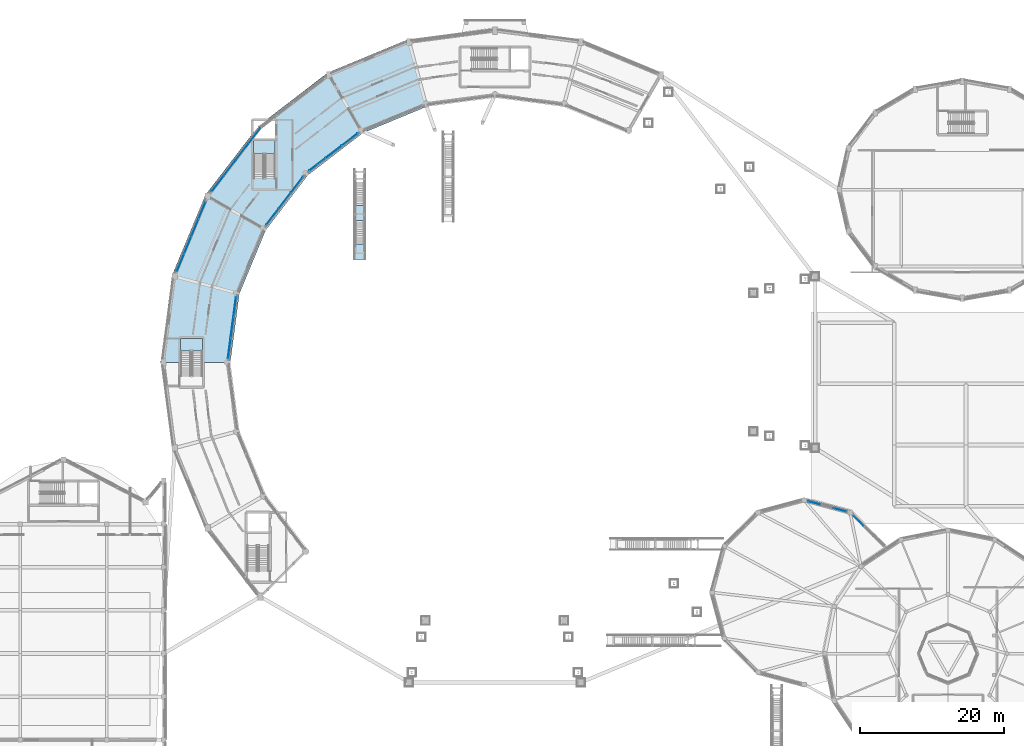
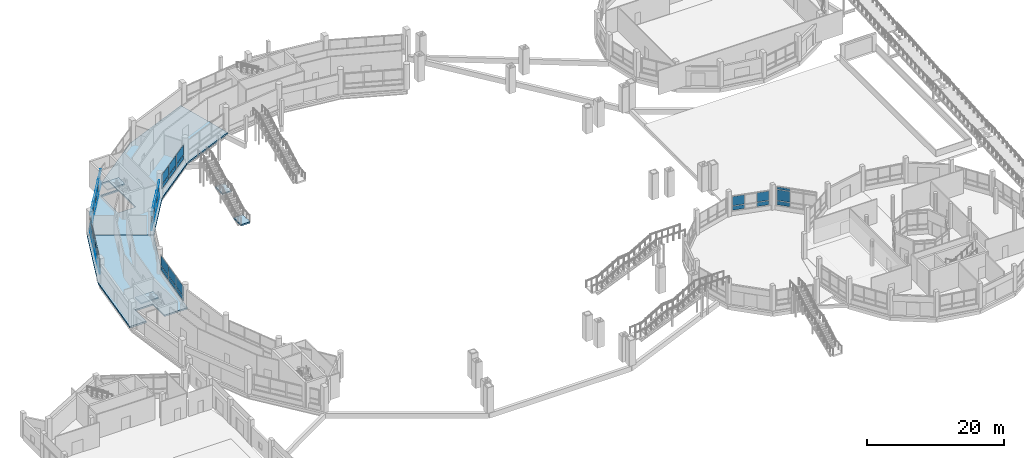
# One storey, part 100 of 129: 48 plates, 6 slabs, 10 elements without a shape of their own.
"""IFC4 building model written with IfcOpenShell, lengths in metres."""

from ifc_helpers import new_model, si_unit, direction, frame, origin, origin_2d, place, context, subcontext, project, spatial, polyline, rectangle, outline, extrude, material, layer, layer_set, type_object, element, aggregate, save


model = new_model("IFC4")

# Units and contexts
model_context = context("Model", 3, precision=1e-05, world=origin(), true_north=direction((0.0, 1.0)))
body_context = subcontext(model_context, "Body", "Model", "MODEL_VIEW")
ifc_project = project(units=[si_unit("LENGTHUNIT", "METRE"), si_unit("AREAUNIT", "SQUARE_METRE"), si_unit("VOLUMEUNIT", "CUBIC_METRE"), si_unit("PLANEANGLEUNIT", "RADIAN"), si_unit("MASSUNIT", "GRAM", prefix="KILO")], contexts=[model_context])

# Site, building, storey
site_placement = place(None, origin())
site = spatial("IfcSite", under=ifc_project, at=site_placement, CompositionType="ELEMENT")
building_placement = place(site_placement, origin())
building = spatial("IfcBuilding", under=site, at=building_placement, Name="Vespera Passage Community Centre", CompositionType="ELEMENT")
storey_placement = place(building_placement, origin())
storey = spatial("IfcBuildingStorey", under=building, at=storey_placement, Name="L00", CompositionType="ELEMENT", Elevation=0.0)

# Curtain wall, plates
ifc_material_1 = material(Name="Anodized aluminium 6063-T6", Category="aluminium")
ifc_layer_1 = layer(ifc_material_1, 0.159912109375)
ifc_layer_set_1 = layer_set([ifc_layer_1], Name="Anodized aluminium 6063-T6")
curtain_wall_type_1 = type_object("IfcCurtainWallType", Name="CW-06E", PredefinedType="NOTDEFINED", material=ifc_layer_set_1)
curtain_wall_1_placement = place(storey_placement, origin())
curtain_wall_1 = element("IfcCurtainWall", 1, at=curtain_wall_1_placement, inside=storey, type_object=curtain_wall_type_1, Name="V4 L00 Outer Ribbon Curtain Wall 9", PredefinedType="NOTDEFINED")
ifc_material_2 = material(Name="Low-E insulated vision glass", Category="glass")
ifc_layer_2 = layer(ifc_material_2, 0.02001953125)
ifc_layer_set_2 = layer_set([ifc_layer_2], Name="Low-E insulated vision glass")
plate_type_1 = type_object("IfcPlateType", Name="PL-CWP-20E", PredefinedType="CURTAIN_PANEL", material=ifc_layer_set_2)
plate_1_placement = place(storey_placement, frame((39.444580078125, 90.333251953125, 0.4501953125), z_axis=(0.0, 0.0, 1.0), x_axis=(0.608765222978, 0.793350429062, 0.0)))
plate_1 = element("IfcPlate", 2, at=plate_1_placement, type_object=plate_type_1, Name="CW-06E panel 1.1", PredefinedType="CURTAIN_PANEL", context=body_context, shape_type="SweptSolid", body=[
    extrude(rectangle(XDim=2.703369140625, YDim=0.02001953125, at=origin_2d()), origin(), (0.0, 0.0, 1.0), 0.699951171875),
])
plate_2_placement = place(storey_placement, frame((39.444580078125, 90.333251953125, 1.25), z_axis=(0.0, 0.0, 1.0), x_axis=(0.608765222978, 0.793350429062, 0.0)))
plate_2 = element("IfcPlate", 3, at=plate_2_placement, type_object=plate_type_1, Name="CW-06E panel 1.2", PredefinedType="CURTAIN_PANEL", context=body_context, shape_type="SweptSolid", body=[
    extrude(rectangle(XDim=2.703369140625, YDim=0.02001953125, at=origin_2d()), origin(), (0.0, 0.0, 1.0), 1.595703125),
])
plate_3_placement = place(storey_placement, frame((39.444580078125, 90.333251953125, 2.945556640625), z_axis=(0.0, 0.0, 1.0), x_axis=(0.608765222978, 0.793350429062, 0.0)))
plate_3 = element("IfcPlate", 4, at=plate_3_placement, type_object=plate_type_1, Name="CW-06E panel 1.3", PredefinedType="CURTAIN_PANEL", context=body_context, shape_type="SweptSolid", body=[
    extrude(rectangle(XDim=2.703369140625, YDim=0.02001953125, at=origin_2d()), origin(), (0.0, 0.0, 1.0), 0.39990234375),
])
plate_4_placement = place(storey_placement, frame((41.1396484375, 92.54248046875, 0.4501953125), z_axis=(0.0, 0.0, 1.0), x_axis=(0.608765222978, 0.793350429062, 0.0)))
plate_4 = element("IfcPlate", 5, at=plate_4_placement, type_object=plate_type_1, Name="CW-06E panel 2.1", PredefinedType="CURTAIN_PANEL", context=body_context, shape_type="SweptSolid", body=[
    extrude(rectangle(XDim=2.73583984375, YDim=0.02001953125, at=origin_2d()), origin(), (0.0, 0.0, 1.0), 0.699951171875),
])
plate_5_placement = place(storey_placement, frame((41.1396484375, 92.54248046875, 1.25), z_axis=(0.0, 0.0, 1.0), x_axis=(0.608765222978, 0.793350429062, 0.0)))
plate_5 = element("IfcPlate", 6, at=plate_5_placement, type_object=plate_type_1, Name="CW-06E panel 2.2", PredefinedType="CURTAIN_PANEL", context=body_context, shape_type="SweptSolid", body=[
    extrude(rectangle(XDim=2.73583984375, YDim=0.02001953125, at=origin_2d()), origin(), (0.0, 0.0, 1.0), 1.595703125),
])
plate_6_placement = place(storey_placement, frame((41.1396484375, 92.54248046875, 2.945556640625), z_axis=(0.0, 0.0, 1.0), x_axis=(0.608765222978, 0.793350429062, 0.0)))
plate_6 = element("IfcPlate", 7, at=plate_6_placement, type_object=plate_type_1, Name="CW-06E panel 2.3", PredefinedType="CURTAIN_PANEL", context=body_context, shape_type="SweptSolid", body=[
    extrude(rectangle(XDim=2.73583984375, YDim=0.02001953125, at=origin_2d()), origin(), (0.0, 0.0, 1.0), 0.39990234375),
])
plate_7_placement = place(storey_placement, frame((42.8447265625, 94.764404296875, 0.4501953125), z_axis=(0.0, 0.0, 1.0), x_axis=(0.608765222978, 0.793350429062, 0.0)))
plate_7 = element("IfcPlate", 8, at=plate_7_placement, type_object=plate_type_1, Name="CW-06E panel 3.1", PredefinedType="CURTAIN_PANEL", context=body_context, shape_type="SweptSolid", body=[
    extrude(rectangle(XDim=2.73583984375, YDim=0.02001953125, at=origin_2d()), origin(), (0.0, 0.0, 1.0), 0.699951171875),
])
plate_8_placement = place(storey_placement, frame((42.8447265625, 94.764404296875, 1.25), z_axis=(0.0, 0.0, 1.0), x_axis=(0.608765222978, 0.793350429062, 0.0)))
plate_8 = element("IfcPlate", 9, at=plate_8_placement, type_object=plate_type_1, Name="CW-06E panel 3.2", PredefinedType="CURTAIN_PANEL", context=body_context, shape_type="SweptSolid", body=[
    extrude(rectangle(XDim=2.73583984375, YDim=0.02001953125, at=origin_2d()), origin(), (0.0, 0.0, 1.0), 1.595703125),
])
plate_9_placement = place(storey_placement, frame((42.8447265625, 94.764404296875, 2.945556640625), z_axis=(0.0, 0.0, 1.0), x_axis=(0.608765222978, 0.793350429062, 0.0)))
plate_9 = element("IfcPlate", 10, at=plate_9_placement, type_object=plate_type_1, Name="CW-06E panel 3.3", PredefinedType="CURTAIN_PANEL", context=body_context, shape_type="SweptSolid", body=[
    extrude(rectangle(XDim=2.73583984375, YDim=0.02001953125, at=origin_2d()), origin(), (0.0, 0.0, 1.0), 0.39990234375),
])
plate_10_placement = place(storey_placement, frame((44.5400390625, 96.9736328125, 0.4501953125), z_axis=(0.0, 0.0, 1.0), x_axis=(0.608765222978, 0.793350429062, 0.0)))
plate_10 = element("IfcPlate", 11, at=plate_10_placement, type_object=plate_type_1, Name="CW-06E panel 4.1", PredefinedType="CURTAIN_PANEL", context=body_context, shape_type="SweptSolid", body=[
    extrude(rectangle(XDim=2.703369140625, YDim=0.02001953125, at=origin_2d()), origin(), (0.0, 0.0, 1.0), 0.699951171875),
])
plate_11_placement = place(storey_placement, frame((44.5400390625, 96.9736328125, 1.25), z_axis=(0.0, 0.0, 1.0), x_axis=(0.608765222978, 0.793350429062, 0.0)))
plate_11 = element("IfcPlate", 12, at=plate_11_placement, type_object=plate_type_1, Name="CW-06E panel 4.2", PredefinedType="CURTAIN_PANEL", context=body_context, shape_type="SweptSolid", body=[
    extrude(rectangle(XDim=2.703369140625, YDim=0.02001953125, at=origin_2d()), origin(), (0.0, 0.0, 1.0), 1.595703125),
])
plate_12_placement = place(storey_placement, frame((44.5400390625, 96.9736328125, 2.945556640625), z_axis=(0.0, 0.0, 1.0), x_axis=(0.608765222978, 0.793350429062, 0.0)))
plate_12 = element("IfcPlate", 13, at=plate_12_placement, type_object=plate_type_1, Name="CW-06E panel 4.3", PredefinedType="CURTAIN_PANEL", context=body_context, shape_type="SweptSolid", body=[
    extrude(rectangle(XDim=2.703369140625, YDim=0.02001953125, at=origin_2d()), origin(), (0.0, 0.0, 1.0), 0.39990234375),
])
aggregate(curtain_wall_1, [plate_1, plate_2, plate_3, plate_4, plate_5, plate_6, plate_7, plate_8, plate_9, plate_10, plate_11, plate_12])

ifc_material_3 = material(Name="Anodized aluminium 6063-T6", Category="aluminium")
ifc_layer_3 = layer(ifc_material_3, 0.159912109375)
ifc_layer_set_3 = layer_set([ifc_layer_3], Name="Anodized aluminium 6063-T6")
curtain_wall_type_2 = type_object("IfcCurtainWallType", Name="CW-07E", PredefinedType="NOTDEFINED", material=ifc_layer_set_3)
curtain_wall_2_placement = place(storey_placement, origin())
curtain_wall_2 = element("IfcCurtainWall", 14, at=curtain_wall_2_placement, inside=storey, type_object=curtain_wall_type_2, Name="V4 L00 Inner Court Curtain Wall 9", PredefinedType="NOTDEFINED")
plate_13_placement = place(storey_placement, frame((50.458251953125, 90.191650390625, 0.41015625), z_axis=(0.0, 0.0, 1.0), x_axis=(-0.608755087843, -0.793358205999, 0.0)))
plate_13 = element("IfcPlate", 15, at=plate_13_placement, type_object=plate_type_1, Name="CW-07E panel 1.1", PredefinedType="CURTAIN_PANEL", context=body_context, shape_type="SweptSolid", body=[
    extrude(rectangle(XDim=2.72900390625, YDim=0.02001953125, at=origin_2d()), origin(), (0.0, 0.0, 1.0), 0.760009765625),
])
plate_14_placement = place(storey_placement, frame((50.458251953125, 90.191650390625, 1.22998046875), z_axis=(0.0, 0.0, 1.0), x_axis=(-0.608755087843, -0.793358205999, 0.0)))
plate_14 = element("IfcPlate", 16, at=plate_14_placement, type_object=plate_type_1, Name="CW-07E panel 1.2", PredefinedType="CURTAIN_PANEL", context=body_context, shape_type="SweptSolid", body=[
    extrude(rectangle(XDim=2.72900390625, YDim=0.02001953125, at=origin_2d()), origin(), (0.0, 0.0, 1.0), 1.719482421875),
])
plate_15_placement = place(storey_placement, frame((50.458251953125, 90.191650390625, 3.009521484375), z_axis=(0.0, 0.0, 1.0), x_axis=(-0.608755087843, -0.793358205999, 0.0)))
plate_15 = element("IfcPlate", 17, at=plate_15_placement, type_object=plate_type_1, Name="CW-07E panel 1.3", PredefinedType="CURTAIN_PANEL", context=body_context, shape_type="SweptSolid", body=[
    extrude(rectangle(XDim=2.72900390625, YDim=0.02001953125, at=origin_2d()), origin(), (0.0, 0.0, 1.0), 0.4599609375),
])
plate_16_placement = place(storey_placement, frame((48.73974609375, 87.9521484375, 0.41015625), z_axis=(0.0, 0.0, 1.0), x_axis=(-0.608755087843, -0.793358205999, 0.0)))
plate_16 = element("IfcPlate", 18, at=plate_16_placement, type_object=plate_type_1, Name="CW-07E panel 2.1", PredefinedType="CURTAIN_PANEL", context=body_context, shape_type="SweptSolid", body=[
    extrude(rectangle(XDim=2.7666015625, YDim=0.02001953125, at=origin_2d()), origin(), (0.0, 0.0, 1.0), 0.760009765625),
])
plate_17_placement = place(storey_placement, frame((48.73974609375, 87.9521484375, 1.22998046875), z_axis=(0.0, 0.0, 1.0), x_axis=(-0.608755087843, -0.793358205999, 0.0)))
plate_17 = element("IfcPlate", 19, at=plate_17_placement, type_object=plate_type_1, Name="CW-07E panel 2.2", PredefinedType="CURTAIN_PANEL", context=body_context, shape_type="SweptSolid", body=[
    extrude(rectangle(XDim=2.7666015625, YDim=0.02001953125, at=origin_2d()), origin(), (0.0, 0.0, 1.0), 1.719482421875),
])
plate_18_placement = place(storey_placement, frame((48.73974609375, 87.9521484375, 3.009521484375), z_axis=(0.0, 0.0, 1.0), x_axis=(-0.608755087843, -0.793358205999, 0.0)))
plate_18 = element("IfcPlate", 20, at=plate_18_placement, type_object=plate_type_1, Name="CW-07E panel 2.3", PredefinedType="CURTAIN_PANEL", context=body_context, shape_type="SweptSolid", body=[
    extrude(rectangle(XDim=2.7666015625, YDim=0.02001953125, at=origin_2d()), origin(), (0.0, 0.0, 1.0), 0.4599609375),
])
plate_19_placement = place(storey_placement, frame((47.021240234375, 85.712646484375, 0.41015625), z_axis=(0.0, 0.0, 1.0), x_axis=(-0.608755087843, -0.793358205999, 0.0)))
plate_19 = element("IfcPlate", 21, at=plate_19_placement, type_object=plate_type_1, Name="CW-07E panel 3.1", PredefinedType="CURTAIN_PANEL", context=body_context, shape_type="SweptSolid", body=[
    extrude(rectangle(XDim=2.72900390625, YDim=0.02001953125, at=origin_2d()), origin(), (0.0, 0.0, 1.0), 0.760009765625),
])
plate_20_placement = place(storey_placement, frame((47.021240234375, 85.712646484375, 1.22998046875), z_axis=(0.0, 0.0, 1.0), x_axis=(-0.608755087843, -0.793358205999, 0.0)))
plate_20 = element("IfcPlate", 22, at=plate_20_placement, type_object=plate_type_1, Name="CW-07E panel 3.2", PredefinedType="CURTAIN_PANEL", context=body_context, shape_type="SweptSolid", body=[
    extrude(rectangle(XDim=2.72900390625, YDim=0.02001953125, at=origin_2d()), origin(), (0.0, 0.0, 1.0), 1.719482421875),
])
plate_21_placement = place(storey_placement, frame((47.021240234375, 85.712646484375, 3.009521484375), z_axis=(0.0, 0.0, 1.0), x_axis=(-0.608755087843, -0.793358205999, 0.0)))
plate_21 = element("IfcPlate", 23, at=plate_21_placement, type_object=plate_type_1, Name="CW-07E panel 3.3", PredefinedType="CURTAIN_PANEL", context=body_context, shape_type="SweptSolid", body=[
    extrude(rectangle(XDim=2.72900390625, YDim=0.02001953125, at=origin_2d()), origin(), (0.0, 0.0, 1.0), 0.4599609375),
])
aggregate(curtain_wall_2, [plate_13, plate_14, plate_15, plate_16, plate_17, plate_18, plate_19, plate_20, plate_21])

ifc_material_4 = material(Name="Anodized aluminium 6063-T6", Category="aluminium")
ifc_layer_4 = layer(ifc_material_4, 0.159912109375)
ifc_layer_set_4 = layer_set([ifc_layer_4], Name="Anodized aluminium 6063-T6")
curtain_wall_type_3 = type_object("IfcCurtainWallType", Name="CW-111E", PredefinedType="NOTDEFINED", material=ifc_layer_set_4)
curtain_wall_3_placement = place(storey_placement, origin())
curtain_wall_3 = element("IfcCurtainWall", 24, at=curtain_wall_3_placement, inside=storey, type_object=curtain_wall_type_3, Name="Passage Espresso Cafe Ribbon Curtain Wall 2", PredefinedType="NOTDEFINED")
plate_22_placement = place(storey_placement, frame((128.56005859375, 43.4248046875, 0.8798828125), z_axis=(0.0, 0.0, 1.0), x_axis=(0.707106781187, -0.707106781187, 0.0)))
plate_22 = element("IfcPlate", 25, at=plate_22_placement, type_object=plate_type_1, Name="CW-111E panel 1.1", PredefinedType="CURTAIN_PANEL", context=body_context, shape_type="SweptSolid", body=[
    extrude(rectangle(XDim=1.903076171875, YDim=0.02001953125, at=origin_2d()), origin(), (0.0, 0.0, 1.0), 0.699951171875),
])
plate_23_placement = place(storey_placement, frame((128.56005859375, 43.4248046875, 1.679931640625), z_axis=(0.0, 0.0, 1.0), x_axis=(0.707106781187, -0.707106781187, 0.0)))
plate_23 = element("IfcPlate", 26, at=plate_23_placement, type_object=plate_type_1, Name="CW-111E panel 1.2", PredefinedType="CURTAIN_PANEL", context=body_context, shape_type="SweptSolid", body=[
    extrude(rectangle(XDim=1.903076171875, YDim=0.02001953125, at=origin_2d()), origin(), (0.0, 0.0, 1.0), 1.89990234375),
])
plate_24_placement = place(storey_placement, frame((128.56005859375, 43.4248046875, 3.679931640625), z_axis=(0.0, 0.0, 1.0), x_axis=(0.707106781187, -0.707106781187, 0.0)))
plate_24 = element("IfcPlate", 27, at=plate_24_placement, type_object=plate_type_1, Name="CW-111E panel 1.3", PredefinedType="CURTAIN_PANEL", context=body_context, shape_type="SweptSolid", body=[
    extrude(rectangle(XDim=1.903076171875, YDim=0.02001953125, at=origin_2d()), origin(), (0.0, 0.0, 1.0), 0.39990234375),
])
aggregate(curtain_wall_3, [plate_22, plate_23, plate_24])

ifc_material_5 = material(Name="Anodized aluminium 6063-T6", Category="aluminium")
ifc_layer_5 = layer(ifc_material_5, 0.159912109375)
ifc_layer_set_5 = layer_set([ifc_layer_5], Name="Anodized aluminium 6063-T6")
curtain_wall_type_4 = type_object("IfcCurtainWallType", Name="CW-112E", PredefinedType="NOTDEFINED", material=ifc_layer_set_5)
curtain_wall_4_placement = place(storey_placement, origin())
curtain_wall_4 = element("IfcCurtainWall", 28, at=curtain_wall_4_placement, inside=storey, type_object=curtain_wall_type_4, Name="Passage Espresso Cafe Ribbon Curtain Wall 3", PredefinedType="NOTDEFINED")
plate_25_placement = place(storey_placement, frame((122.4111328125, 45.921875, 0.8798828125), z_axis=(0.0, 0.0, 1.0), x_axis=(0.965928937444, -0.258807433834, 0.0)))
plate_25 = element("IfcPlate", 29, at=plate_25_placement, type_object=plate_type_1, Name="CW-112E panel 1.1", PredefinedType="CURTAIN_PANEL", context=body_context, shape_type="SweptSolid", body=[
    extrude(rectangle(XDim=1.770751953125, YDim=0.02001953125, at=origin_2d()), origin(), (0.0, 0.0, 1.0), 0.699951171875),
])
plate_26_placement = place(storey_placement, frame((122.4111328125, 45.921875, 1.68017578125), z_axis=(0.0, 0.0, 1.0), x_axis=(0.965928937444, -0.258807433834, 0.0)))
plate_26 = element("IfcPlate", 30, at=plate_26_placement, type_object=plate_type_1, Name="CW-112E panel 1.2", PredefinedType="CURTAIN_PANEL", context=body_context, shape_type="SweptSolid", body=[
    extrude(rectangle(XDim=1.770751953125, YDim=0.02001953125, at=origin_2d()), origin(), (0.0, 0.0, 1.0), 1.635009765625),
])
plate_27_placement = place(storey_placement, frame((125.98876953125, 44.963134765625, 0.8798828125), z_axis=(0.0, 0.0, 1.0), x_axis=(0.965928937444, -0.258807433834, 0.0)))
plate_27 = element("IfcPlate", 31, at=plate_27_placement, type_object=plate_type_1, Name="CW-112E panel 3.1", PredefinedType="CURTAIN_PANEL", context=body_context, shape_type="SweptSolid", body=[
    extrude(rectangle(XDim=1.770751953125, YDim=0.02001953125, at=origin_2d()), origin(), (0.0, 0.0, 1.0), 0.699951171875),
])
plate_28_placement = place(storey_placement, frame((125.98876953125, 44.963134765625, 1.68017578125), z_axis=(0.0, 0.0, 1.0), x_axis=(0.965928937444, -0.258807433834, 0.0)))
plate_28 = element("IfcPlate", 32, at=plate_28_placement, type_object=plate_type_1, Name="CW-112E panel 3.2", PredefinedType="CURTAIN_PANEL", context=body_context, shape_type="SweptSolid", body=[
    extrude(rectangle(XDim=1.770751953125, YDim=0.02001953125, at=origin_2d()), origin(), (0.0, 0.0, 1.0), 1.635009765625),
])
aggregate(curtain_wall_4, [plate_25, plate_26, plate_27, plate_28])

ifc_material_6 = material(Name="Anodized aluminium 6063-T6", Category="aluminium")
ifc_layer_6 = layer(ifc_material_6, 0.159912109375)
ifc_layer_set_6 = layer_set([ifc_layer_6], Name="Anodized aluminium 6063-T6")
curtain_wall_type_5 = type_object("IfcCurtainWallType", Name="CW-08E", PredefinedType="NOTDEFINED", material=ifc_layer_set_6)
curtain_wall_5_placement = place(storey_placement, origin())
curtain_wall_5 = element("IfcCurtainWall", 33, at=curtain_wall_5_placement, inside=storey, type_object=curtain_wall_type_5, Name="V4 L00 Outer Ribbon Curtain Wall 10", PredefinedType="NOTDEFINED")
ifc_material_7 = material(Name="Low-E insulated vision glass", Category="glass")
ifc_layer_7 = layer(ifc_material_7, 0.028076171875)
ifc_layer_set_7 = layer_set([ifc_layer_7], Name="Low-E insulated vision glass")
plate_type_2 = type_object("IfcPlateType", Name="PL-CWP-28E", PredefinedType="CURTAIN_PANEL", material=ifc_layer_set_7)
plate_29_placement = place(storey_placement, frame((34.270751953125, 79.36279296875, 0.8798828125), z_axis=(0.0, 0.0, 1.0), x_axis=(0.382679142535, 0.923881309405, 0.0)))
plate_29 = element("IfcPlate", 34, at=plate_29_placement, type_object=plate_type_2, Name="CW-08E panel 1.1", PredefinedType="CURTAIN_PANEL", context=body_context, shape_type="SweptSolid", body=[
    extrude(rectangle(XDim=2.51806640625, YDim=0.028076171875, at=origin_2d()), origin(), (0.0, 0.0, 1.0), 0.760009765625),
])
plate_30_placement = place(storey_placement, frame((34.270751953125, 79.36279296875, 1.699951171875), z_axis=(0.0, 0.0, 1.0), x_axis=(0.382679142535, 0.923881309405, 0.0)))
plate_30 = element("IfcPlate", 35, at=plate_30_placement, type_object=plate_type_2, Name="CW-08E panel 1.2", PredefinedType="CURTAIN_PANEL", context=body_context, shape_type="SweptSolid", body=[
    extrude(rectangle(XDim=2.51806640625, YDim=0.028076171875, at=origin_2d()), origin(), (0.0, 0.0, 1.0), 1.685546875),
])
plate_31_placement = place(storey_placement, frame((35.270263671875, 81.775634765625, 0.8798828125), z_axis=(0.0, 0.0, 1.0), x_axis=(0.382679142535, 0.923881309405, 0.0)))
plate_31 = element("IfcPlate", 36, at=plate_31_placement, type_object=plate_type_2, Name="CW-08E panel 2.1", PredefinedType="CURTAIN_PANEL", context=body_context, shape_type="SweptSolid", body=[
    extrude(rectangle(XDim=2.555419921875, YDim=0.028076171875, at=origin_2d()), origin(), (0.0, 0.0, 1.0), 0.760009765625),
])
plate_32_placement = place(storey_placement, frame((35.270263671875, 81.775634765625, 1.699951171875), z_axis=(0.0, 0.0, 1.0), x_axis=(0.382679142535, 0.923881309405, 0.0)))
plate_32 = element("IfcPlate", 37, at=plate_32_placement, type_object=plate_type_2, Name="CW-08E panel 2.2", PredefinedType="CURTAIN_PANEL", context=body_context, shape_type="SweptSolid", body=[
    extrude(rectangle(XDim=2.555419921875, YDim=0.028076171875, at=origin_2d()), origin(), (0.0, 0.0, 1.0), 1.685546875),
])
plate_33_placement = place(storey_placement, frame((36.27685546875, 84.2060546875, 0.8798828125), z_axis=(0.0, 0.0, 1.0), x_axis=(0.382679142535, 0.923881309405, 0.0)))
plate_33 = element("IfcPlate", 38, at=plate_33_placement, type_object=plate_type_2, Name="CW-08E panel 3.1", PredefinedType="CURTAIN_PANEL", context=body_context, shape_type="SweptSolid", body=[
    extrude(rectangle(XDim=2.555419921875, YDim=0.028076171875, at=origin_2d()), origin(), (0.0, 0.0, 1.0), 0.760009765625),
])
plate_34_placement = place(storey_placement, frame((36.27685546875, 84.2060546875, 1.699951171875), z_axis=(0.0, 0.0, 1.0), x_axis=(0.382679142535, 0.923881309405, 0.0)))
plate_34 = element("IfcPlate", 39, at=plate_34_placement, type_object=plate_type_2, Name="CW-08E panel 3.2", PredefinedType="CURTAIN_PANEL", context=body_context, shape_type="SweptSolid", body=[
    extrude(rectangle(XDim=2.555419921875, YDim=0.028076171875, at=origin_2d()), origin(), (0.0, 0.0, 1.0), 1.685546875),
])
plate_35_placement = place(storey_placement, frame((37.2763671875, 86.618896484375, 0.8798828125), z_axis=(0.0, 0.0, 1.0), x_axis=(0.382679142535, 0.923881309405, 0.0)))
plate_35 = element("IfcPlate", 40, at=plate_35_placement, type_object=plate_type_2, Name="CW-08E panel 4.1", PredefinedType="CURTAIN_PANEL", context=body_context, shape_type="SweptSolid", body=[
    extrude(rectangle(XDim=2.51806640625, YDim=0.028076171875, at=origin_2d()), origin(), (0.0, 0.0, 1.0), 0.760009765625),
])
plate_36_placement = place(storey_placement, frame((37.2763671875, 86.618896484375, 1.699951171875), z_axis=(0.0, 0.0, 1.0), x_axis=(0.382679142535, 0.923881309405, 0.0)))
plate_36 = element("IfcPlate", 41, at=plate_36_placement, type_object=plate_type_2, Name="CW-08E panel 4.2", PredefinedType="CURTAIN_PANEL", context=body_context, shape_type="SweptSolid", body=[
    extrude(rectangle(XDim=2.51806640625, YDim=0.028076171875, at=origin_2d()), origin(), (0.0, 0.0, 1.0), 1.685546875),
])
aggregate(curtain_wall_5, [plate_29, plate_30, plate_31, plate_32, plate_33, plate_34, plate_35, plate_36])

ifc_material_8 = material(Name="Anodized aluminium 6063-T6", Category="aluminium")
ifc_layer_8 = layer(ifc_material_8, 0.159912109375)
ifc_layer_set_8 = layer_set([ifc_layer_8], Name="Anodized aluminium 6063-T6")
curtain_wall_type_6 = type_object("IfcCurtainWallType", Name="CW-05E", PredefinedType="NOTDEFINED", material=ifc_layer_set_8)
curtain_wall_6_placement = place(storey_placement, origin())
curtain_wall_6 = element("IfcCurtainWall", 42, at=curtain_wall_6_placement, inside=storey, type_object=curtain_wall_type_6, Name="V4 L00 Inner Court Curtain Wall 8", PredefinedType="NOTDEFINED")
ifc_material_9 = material(Name="Acoustic triple-glazed vision glass", Category="glass")
ifc_layer_9 = layer(ifc_material_9, 0.035888671875)
ifc_layer_set_9 = layer_set([ifc_layer_9], Name="Acoustic triple-glazed vision glass")
plate_type_3 = type_object("IfcPlateType", Name="PL-CWP-36E", PredefinedType="CURTAIN_PANEL", material=ifc_layer_set_9)
plate_37_placement = place(storey_placement, frame((57.789306640625, 96.480224609375, 0.919921875), z_axis=(0.0, 0.0, 1.0), x_axis=(-0.793358205999, -0.608755087843, 0.0)))
plate_37 = element("IfcPlate", 43, at=plate_37_placement, type_object=plate_type_3, Name="CW-05E panel 1.1", PredefinedType="CURTAIN_PANEL", context=body_context, shape_type="SweptSolid", body=[
    extrude(rectangle(XDim=2.744140625, YDim=0.035888671875, at=origin_2d()), origin(), (0.0, 0.0, 1.0), 0.699951171875),
])
plate_38_placement = place(storey_placement, frame((57.789306640625, 96.480224609375, 1.719970703125), z_axis=(0.0, 0.0, 1.0), x_axis=(-0.793358205999, -0.608755087843, 0.0)))
plate_38 = element("IfcPlate", 44, at=plate_38_placement, type_object=plate_type_3, Name="CW-05E panel 1.2", PredefinedType="CURTAIN_PANEL", context=body_context, shape_type="SweptSolid", body=[
    extrude(rectangle(XDim=2.744140625, YDim=0.035888671875, at=origin_2d()), origin(), (0.0, 0.0, 1.0), 1.70947265625),
])
plate_39_placement = place(storey_placement, frame((55.5478515625, 94.76025390625, 0.919921875), z_axis=(0.0, 0.0, 1.0), x_axis=(-0.793358205999, -0.608755087843, 0.0)))
plate_39 = element("IfcPlate", 45, at=plate_39_placement, type_object=plate_type_3, Name="CW-05E panel 2.1", PredefinedType="CURTAIN_PANEL", context=body_context, shape_type="SweptSolid", body=[
    extrude(rectangle(XDim=2.776611328125, YDim=0.035888671875, at=origin_2d()), origin(), (0.0, 0.0, 1.0), 0.699951171875),
])
plate_40_placement = place(storey_placement, frame((55.5478515625, 94.76025390625, 1.719970703125), z_axis=(0.0, 0.0, 1.0), x_axis=(-0.793358205999, -0.608755087843, 0.0)))
plate_40 = element("IfcPlate", 46, at=plate_40_placement, type_object=plate_type_3, Name="CW-05E panel 2.2", PredefinedType="CURTAIN_PANEL", context=body_context, shape_type="SweptSolid", body=[
    extrude(rectangle(XDim=2.776611328125, YDim=0.035888671875, at=origin_2d()), origin(), (0.0, 0.0, 1.0), 1.70947265625),
])
plate_41_placement = place(storey_placement, frame((53.306396484375, 93.040283203125, 0.919921875), z_axis=(0.0, 0.0, 1.0), x_axis=(-0.793358205999, -0.608755087843, 0.0)))
plate_41 = element("IfcPlate", 47, at=plate_41_placement, type_object=plate_type_3, Name="CW-05E panel 3.1", PredefinedType="CURTAIN_PANEL", context=body_context, shape_type="SweptSolid", body=[
    extrude(rectangle(XDim=2.744140625, YDim=0.035888671875, at=origin_2d()), origin(), (0.0, 0.0, 1.0), 0.699951171875),
])
plate_42_placement = place(storey_placement, frame((53.306396484375, 93.040283203125, 1.719970703125), z_axis=(0.0, 0.0, 1.0), x_axis=(-0.793358205999, -0.608755087843, 0.0)))
plate_42 = element("IfcPlate", 48, at=plate_42_placement, type_object=plate_type_3, Name="CW-05E panel 3.2", PredefinedType="CURTAIN_PANEL", context=body_context, shape_type="SweptSolid", body=[
    extrude(rectangle(XDim=2.744140625, YDim=0.035888671875, at=origin_2d()), origin(), (0.0, 0.0, 1.0), 1.70947265625),
])
aggregate(curtain_wall_6, [plate_37, plate_38, plate_39, plate_40, plate_41, plate_42])

ifc_material_10 = material(Name="Anodized aluminium 6063-T6", Category="aluminium")
ifc_layer_10 = layer(ifc_material_10, 0.159912109375)
ifc_layer_set_10 = layer_set([ifc_layer_10], Name="Anodized aluminium 6063-T6")
curtain_wall_type_7 = type_object("IfcCurtainWallType", Name="CW-09E", PredefinedType="NOTDEFINED", material=ifc_layer_set_10)
curtain_wall_7_placement = place(storey_placement, origin())
curtain_wall_7 = element("IfcCurtainWall", 49, at=curtain_wall_7_placement, inside=storey, type_object=curtain_wall_type_7, Name="V4 L00 Inner Court Curtain Wall 11", PredefinedType="NOTDEFINED")
plate_43_placement = place(storey_placement, frame((41.80908203125, 73.165283203125, 0.8798828125), z_axis=(0.0, 0.0, 1.0), x_axis=(-0.1305221941, -0.991445387728, 0.0)))
plate_43 = element("IfcPlate", 50, at=plate_43_placement, type_object=plate_type_3, Name="CW-09E panel 1.1", PredefinedType="CURTAIN_PANEL", context=body_context, shape_type="SweptSolid", body=[
    extrude(rectangle(XDim=2.79443359375, YDim=0.035888671875, at=origin_2d()), origin(), (0.0, 0.0, 1.0), 0.760009765625),
])
plate_44_placement = place(storey_placement, frame((41.80908203125, 73.165283203125, 1.7001953125), z_axis=(0.0, 0.0, 1.0), x_axis=(-0.1305221941, -0.991445387728, 0.0)))
plate_44 = element("IfcPlate", 51, at=plate_44_placement, type_object=plate_type_3, Name="CW-09E panel 1.2", PredefinedType="CURTAIN_PANEL", context=body_context, shape_type="SweptSolid", body=[
    extrude(rectangle(XDim=2.79443359375, YDim=0.035888671875, at=origin_2d()), origin(), (0.0, 0.0, 1.0), 1.769287109375),
])
plate_45_placement = place(storey_placement, frame((41.433837890625, 70.31396484375, 0.8798828125), z_axis=(0.0, 0.0, 1.0), x_axis=(-0.1305221941, -0.991445387728, 0.0)))
plate_45 = element("IfcPlate", 52, at=plate_45_placement, type_object=plate_type_3, Name="CW-09E panel 2.1", PredefinedType="CURTAIN_PANEL", context=body_context, shape_type="SweptSolid", body=[
    extrude(rectangle(XDim=2.826904296875, YDim=0.035888671875, at=origin_2d()), origin(), (0.0, 0.0, 1.0), 0.760009765625),
])
plate_46_placement = place(storey_placement, frame((41.433837890625, 70.31396484375, 1.7001953125), z_axis=(0.0, 0.0, 1.0), x_axis=(-0.1305221941, -0.991445387728, 0.0)))
plate_46 = element("IfcPlate", 53, at=plate_46_placement, type_object=plate_type_3, Name="CW-09E panel 2.2", PredefinedType="CURTAIN_PANEL", context=body_context, shape_type="SweptSolid", body=[
    extrude(rectangle(XDim=2.826904296875, YDim=0.035888671875, at=origin_2d()), origin(), (0.0, 0.0, 1.0), 1.769287109375),
])
plate_47_placement = place(storey_placement, frame((41.058349609375, 67.462890625, 0.8798828125), z_axis=(0.0, 0.0, 1.0), x_axis=(-0.1305221941, -0.991445387728, 0.0)))
plate_47 = element("IfcPlate", 54, at=plate_47_placement, type_object=plate_type_3, Name="CW-09E panel 3.1", PredefinedType="CURTAIN_PANEL", context=body_context, shape_type="SweptSolid", body=[
    extrude(rectangle(XDim=2.79443359375, YDim=0.035888671875, at=origin_2d()), origin(), (0.0, 0.0, 1.0), 0.760009765625),
])
plate_48_placement = place(storey_placement, frame((41.058349609375, 67.462890625, 1.7001953125), z_axis=(0.0, 0.0, 1.0), x_axis=(-0.1305221941, -0.991445387728, 0.0)))
plate_48 = element("IfcPlate", 55, at=plate_48_placement, type_object=plate_type_3, Name="CW-09E panel 3.2", PredefinedType="CURTAIN_PANEL", context=body_context, shape_type="SweptSolid", body=[
    extrude(rectangle(XDim=2.79443359375, YDim=0.035888671875, at=origin_2d()), origin(), (0.0, 0.0, 1.0), 1.769287109375),
])
aggregate(curtain_wall_7, [plate_43, plate_44, plate_45, plate_46, plate_47, plate_48])

# Slabs
ifc_material_11 = material(Name="Concrete f'c 35 MPa", Category="concrete")
ifc_layer_11 = layer(ifc_material_11, 0.280029296875)
ifc_layer_set_11 = layer_set([ifc_layer_11], Name="Concrete f'c 35 MPa")
slab_type_1 = type_object("IfcSlabType", Name="SL-DRUM-280", PredefinedType="FLOOR", material=ifc_layer_set_11)
slab_1_placement = place(storey_placement, frame((0.0, 0.0, -0.280029296875)))
element("IfcSlab", 56, at=slab_1_placement, inside=storey, type_object=slab_type_1, Name="V4 L00 Annular Sector 2 Slab", PredefinedType="FLOOR", context=body_context, shape_type="SweptSolid", body=[
    extrude(outline(polyline([(59.60009765625, 97.36962890625), (51.978515625, 91.521484375), (46.13037109375, 83.89990234375), (37.729736328125, 88.75), (44.48291015625, 97.551025390625), (44.48291015625, 96.568115234375), (47.383056640625, 96.568115234375), (47.383056640625, 99.068115234375), (46.015380859375, 99.068115234375), (54.75, 105.770263671875), (65.96484375, 110.41552734375), (68.4755859375, 101.046142578125), (59.60009765625, 97.36962890625)]), holes=[polyline([(44.43310546875, 96.327880859375), (44.43310546875, 91.35791015625), (47.43310546875, 91.35791015625), (47.43310546875, 96.327880859375), (44.43310546875, 96.327880859375)])]), origin(), (0.0, 0.0, 1.0), 0.280029296875),
])
slab_2_placement = place(storey_placement, frame((0.0, 0.0, -0.280029296875)))
element("IfcSlab", 57, at=slab_2_placement, inside=storey, type_object=slab_type_1, Name="V4 L00 Annular Sector 3 Slab", PredefinedType="FLOOR", context=body_context, shape_type="SweptSolid", body=[
    extrude(outline(polyline([(31.5, 65.5), (33.08447265625, 77.53515625), (37.729736328125, 88.75), (46.13037109375, 83.89990234375), (42.453857421875, 75.0244140625), (41.199951171875, 65.5), (37.300048828125, 65.5), (37.300048828125, 68.824951171875), (34.300048828125, 68.824951171875), (34.300048828125, 65.5), (31.5, 65.5)])), origin(), (0.0, 0.0, 1.0), 0.280029296875),
])

# Stair, slab
ifc_material_12 = material(Name="Concrete f'c 35 MPa", Category="concrete")
stair_type_1 = type_object("IfcStairType", Name="ST-T02", PredefinedType="HALF_TURN_STAIR", material=ifc_material_12)
stair_1_placement = place(storey_placement, origin())
stair_1 = element("IfcStair", 58, at=stair_1_placement, inside=storey, type_object=stair_type_1, Name="L00 Core C1 Exit Stair ST03", PredefinedType="HALF_TURN_STAIR")
ifc_material_13 = material(Name="Concrete f'c 35 MPa", Category="concrete")
ifc_layer_12 = layer(ifc_material_13, 0.199951171875)
ifc_layer_set_12 = layer_set([ifc_layer_12], Name="Concrete f'c 35 MPa")
slab_type_2 = type_object("IfcSlabType", Name="SL-LAND-200I", PredefinedType="LANDING", material=ifc_layer_set_12)
slab_3_placement = place(storey_placement, frame((0.0, 0.0, 2.050048828125)))
slab_3 = element("IfcSlab", 59, at=slab_3_placement, type_object=slab_type_2, Name="ST03 landing 1", PredefinedType="LANDING", context=body_context, shape_type="SweptSolid", body=[
    extrude(outline(polyline([(47.43310546875, 94.498046875), (47.43310546875, 96.327880859375), (44.43310546875, 96.327880859375), (44.43310546875, 94.498046875), (47.43310546875, 94.498046875)])), origin(), (0.0, 0.0, 1.0), 0.199951171875),
])
aggregate(stair_1, [slab_3])

ifc_material_14 = material(Name="Concrete f'c 35 MPa", Category="concrete")
stair_type_2 = type_object("IfcStairType", Name="ST-T05", PredefinedType="HALF_TURN_STAIR", material=ifc_material_14)
stair_2_placement = place(storey_placement, origin())
stair_2 = element("IfcStair", 60, at=stair_2_placement, inside=storey, type_object=stair_type_2, Name="L00 Core C2 Exit Stair ST04", PredefinedType="HALF_TURN_STAIR")
slab_4_placement = place(storey_placement, frame((0.0, 0.0, 2.050048828125)))
slab_4 = element("IfcSlab", 61, at=slab_4_placement, type_object=slab_type_2, Name="ST04 landing 1", PredefinedType="LANDING", context=body_context, shape_type="SweptSolid", body=[
    extrude(outline(polyline([(37.300048828125, 67.054931640625), (37.300048828125, 68.824951171875), (34.300048828125, 68.824951171875), (34.300048828125, 67.054931640625), (37.300048828125, 67.054931640625)])), origin(), (0.0, 0.0, 1.0), 0.199951171875),
])
aggregate(stair_2, [slab_4])

ifc_material_15 = material(Name="Concrete f'c 35 MPa", Category="concrete")
stair_type_3 = type_object("IfcStairType", Name="ST-STR-155", PredefinedType="STRAIGHT_RUN_STAIR", material=ifc_material_15)
stair_3_placement = place(storey_placement, origin())
stair_3 = element("IfcStair", 62, at=stair_3_placement, inside=storey, type_object=stair_type_3, Name="Courtyard Feature Stair ST-CRT-04", PredefinedType="STRAIGHT_RUN_STAIR")
ifc_material_16 = material(Name="Concrete f'c 35 MPa", Category="concrete")
ifc_layer_13 = layer(ifc_material_16, 0.260009765625)
ifc_layer_set_13 = layer_set([ifc_layer_13], Name="Concrete f'c 35 MPa")
slab_type_3 = type_object("IfcSlabType", Name="SL-MLAND-260E", PredefinedType="LANDING", material=ifc_layer_set_13)
slab_5_placement = place(storey_placement, frame((0.0, 0.0, 1.989990234375)))
slab_5 = element("IfcSlab", 63, at=slab_5_placement, type_object=slab_type_3, Name="ST-STR-155 landing 1", PredefinedType="LANDING", context=body_context, shape_type="SweptSolid", body=[
    extrude(outline(polyline([(59.97509765625, 85.199951171875), (59.97509765625, 87.320068359375), (58.425048828125, 87.320068359375), (58.425048828125, 85.199951171875), (59.97509765625, 85.199951171875)])), origin(), (0.0, 0.0, 1.0), 0.260009765625),
])
aggregate(stair_3, [slab_5])

# Slab
ifc_material_17 = material(Name="Concrete f'c 35 MPa", Category="concrete")
ifc_layer_14 = layer(ifc_material_17, 0.260009765625)
ifc_layer_set_14 = layer_set([ifc_layer_14], Name="Concrete f'c 35 MPa")
slab_type_4 = type_object("IfcSlabType", Name="SL-RLAND-260E", PredefinedType="LANDING", material=ifc_layer_set_14)
slab_6_placement = place(storey_placement, frame((0.0, 0.0, -0.260009765625)))
element("IfcSlab", 64, at=slab_6_placement, inside=storey, type_object=slab_type_4, Name="ST-CRT-04 Departure Landing", PredefinedType="LANDING", context=body_context, shape_type="SweptSolid", body=[
    extrude(outline(polyline([(59.97509765625, 79.800048828125), (59.97509765625, 81.919921875), (58.425048828125, 81.919921875), (58.425048828125, 79.800048828125), (59.97509765625, 79.800048828125)])), origin(), (0.0, 0.0, 1.0), 0.260009765625),
])

save(model, "model.ifc")
